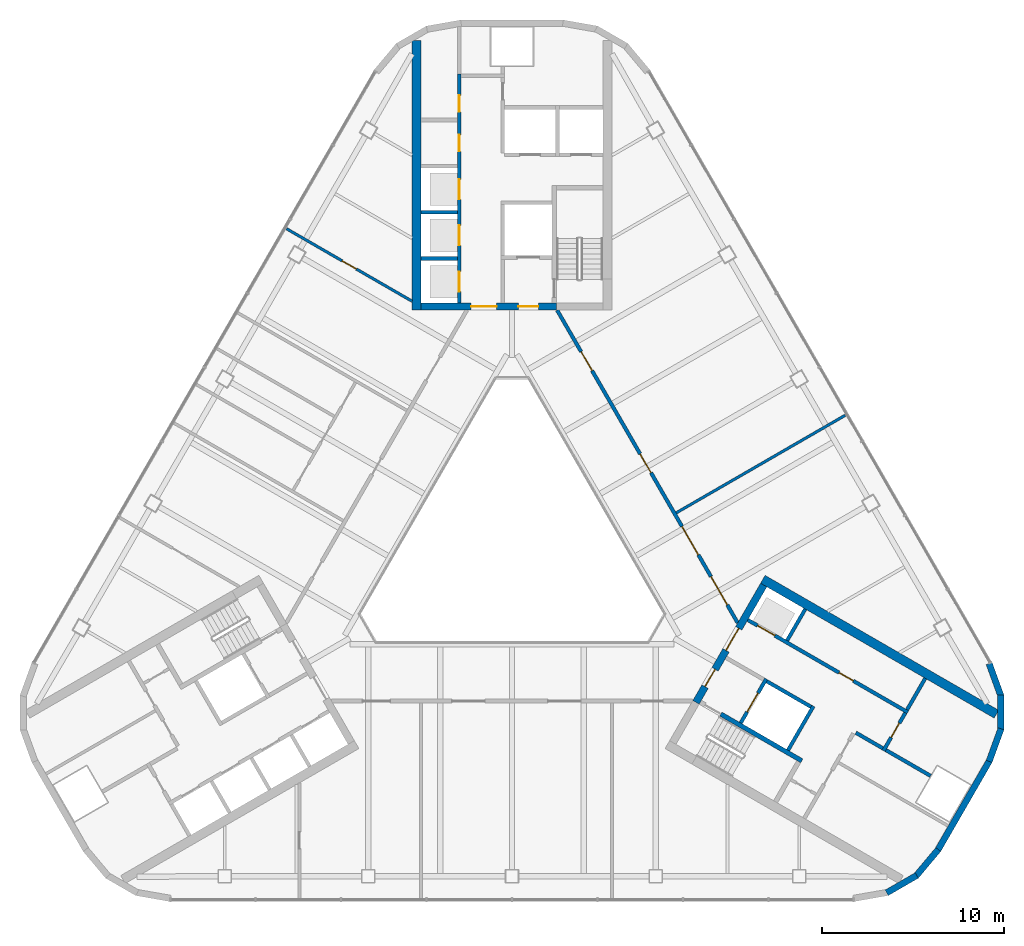
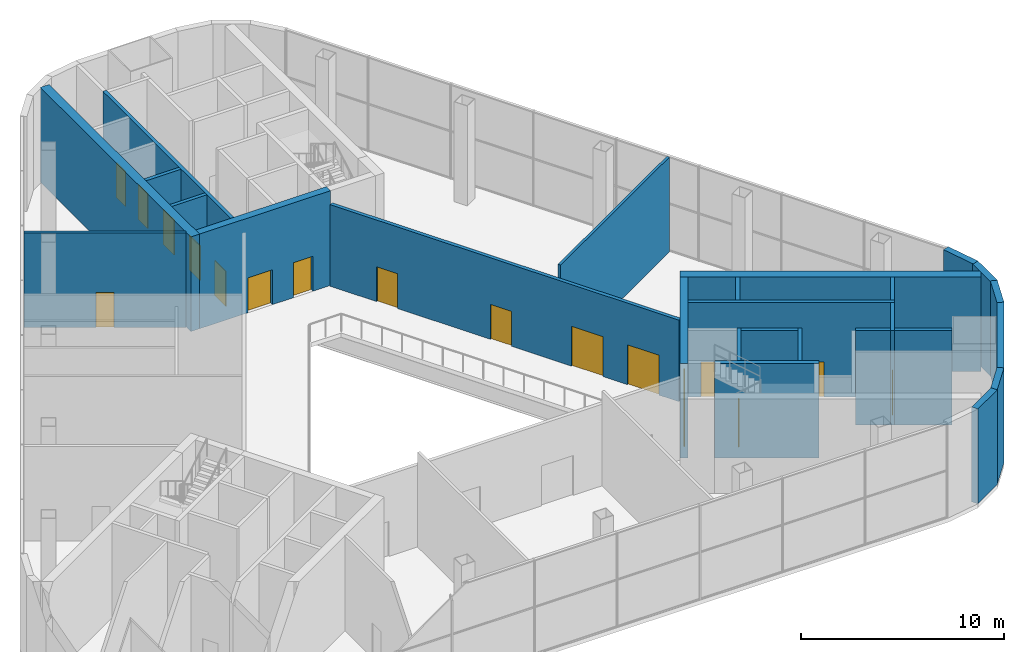
# One storey, part 9 of 14: 26 walls, 18 doors, 18 openings.
"""IFC4 building model written with IfcOpenShell, lengths in metres."""

import ifcopenshell
import ifcopenshell.guid

model = None  # the IFC model being written
_history = None  # IfcOwnerHistory: only IFC2X3 demands one
_inside = {}  # id of a spatial element -> (the spatial element, [elements in it])
_under = {}  # id of a project, library or spatial element -> (it, [spatial elements below it])
_declared = {}  # id of a project -> (the project, [libraries it declares])
_typed = {}  # id of a type object -> (the type object, [elements of that type])
_made_of = {}  # id of a material, layer set ... -> (it, [elements and type objects made of it])


def new_model(schema):
    """Start an empty IFC model of exactly this schema.

    Asked for "IFC4X3", IfcOpenShell would pick the latest addendum, in which some entities
    have other attributes; the version numbers below select the first issue.
    IFC2X3 requires an IfcOwnerHistory on every rooted entity: one is made here for all.
    """
    global model, _history
    if schema == "IFC4X3":
        model = ifcopenshell.file(schema_version=(4, 3, 0, 0))
    else:
        model = ifcopenshell.file(schema=schema)
    _inside.clear()
    _under.clear()
    _declared.clear()
    _typed.clear()
    _made_of.clear()
    _history = None
    if model.schema == "IFC2X3":
        org = make("IfcOrganization", Name="unknown")
        user = make(
            "IfcPersonAndOrganization",
            ThePerson=make("IfcPerson", FamilyName="unknown"),
            TheOrganization=org,
        )
        app = make(
            "IfcApplication",
            ApplicationDeveloper=org,
            Version="unknown",
            ApplicationFullName="unknown",
            ApplicationIdentifier="unknown",
        )
        _history = make(
            "IfcOwnerHistory",
            OwningUser=user,
            OwningApplication=app,
            ChangeAction="ADDED",
            CreationDate=0,
        )
    return model


def make(cls, **values):
    """One entity of the class cls with the attributes given. An attribute that is None is left unset."""
    return model.create_entity(
        cls, **{name: value for name, value in values.items() if value is not None}
    )


def rooted(cls, **values):
    """An entity with a GlobalId (a new one), such as an element, a storey or a relation."""
    return make(cls, GlobalId=ifcopenshell.guid.new(), OwnerHistory=_history, **values)


def si_unit(unit_type, name, prefix=None):
    """IfcSIUnit, for example si_unit("LENGTHUNIT", "METRE", prefix="MILLI")."""
    return make("IfcSIUnit", UnitType=unit_type, Prefix=prefix, Name=name)


def assignment(units):
    """IfcUnitAssignment: the units of a project."""
    return None if units is None else make("IfcUnitAssignment", Units=units)


def point(xyz):
    """IfcCartesianPoint."""
    return None if xyz is None else make("IfcCartesianPoint", Coordinates=xyz)


def direction(xyz):
    """IfcDirection."""
    return None if xyz is None else make("IfcDirection", DirectionRatios=xyz)


def frame(location, z_axis=None, x_axis=None):
    """IfcAxis2Placement3D, a coordinate frame: its origin and axes. An axis left out is left unset."""
    return make(
        "IfcAxis2Placement3D",
        Location=point(location),
        Axis=direction(z_axis),
        RefDirection=direction(x_axis),
    )


def frame_2d(location, x_axis=None):
    """IfcAxis2Placement2D, a coordinate frame in the plane: its origin and x axis."""
    return make(
        "IfcAxis2Placement2D", Location=point(location), RefDirection=direction(x_axis)
    )


def origin():
    """The frame at (0, 0, 0) with its axes left unset."""
    return frame((0.0, 0.0, 0.0))


def place(relative_to, where):
    """IfcLocalPlacement: puts the frame where relative to a parent placement (None: the world)."""
    return make(
        "IfcLocalPlacement", PlacementRelTo=relative_to, RelativePlacement=where
    )


def context(
    kind, dimensions, precision=None, world=None, true_north=None, identifier=None
):
    """IfcGeometricRepresentationContext, for example the 3D "Model" context."""
    return make(
        "IfcGeometricRepresentationContext",
        ContextIdentifier=identifier,
        ContextType=kind,
        CoordinateSpaceDimension=dimensions,
        Precision=precision,
        WorldCoordinateSystem=world,
        TrueNorth=true_north,
    )


def subcontext(parent, identifier, kind, view, scale=None):
    """IfcGeometricRepresentationSubContext, for example "Body" below "Model"."""
    return make(
        "IfcGeometricRepresentationSubContext",
        ContextIdentifier=identifier,
        ContextType=kind,
        ParentContext=parent,
        TargetScale=scale,
        TargetView=view,
    )


def project(units=None, contexts=None):
    """IfcProject with its units and contexts."""
    return rooted(
        "IfcProject",
        Name="project",
        RepresentationContexts=contexts,
        UnitsInContext=assignment(units),
    )


def spatial(cls, under=None, at=None, **own):
    """A site, building, storey or space (cls), placed at a placement, below another one or the project."""
    s = rooted(cls, ObjectPlacement=at, **own)
    if under is not None:
        _under.setdefault(under.id(), (under, []))[1].append(s)
    return s


def profile(cls, at=None, kind="AREA", **sizes):
    """A parametric profile (cls). Its sizes go by their IFC names, for example OverallWidth=200.0."""
    return make(cls, ProfileType=kind, Position=at, **sizes)


def rectangle(**sizes):
    """IfcRectangleProfileDef."""
    return profile("IfcRectangleProfileDef", **sizes)


def extrude(swept, where, along, depth):
    """IfcExtrudedAreaSolid: the profile swept, set in the frame where, extruded along a direction by depth."""
    return make(
        "IfcExtrudedAreaSolid",
        SweptArea=swept,
        Position=where,
        ExtrudedDirection=direction(along),
        Depth=depth,
    )


def shape(context_of_items, identifier, shape_type, items):
    """IfcShapeRepresentation: the items that make up one representation, for example the "Body"."""
    return make(
        "IfcShapeRepresentation",
        ContextOfItems=context_of_items,
        RepresentationIdentifier=identifier,
        RepresentationType=shape_type,
        Items=items,
    )


def material(Name=None, Category=None):
    """IfcMaterial."""
    return make("IfcMaterial", Name=Name, Category=Category)


def layer(
    of_material, thickness, ventilated=None, Name=None, Category=None, Priority=None
):
    """IfcMaterialLayer: one layer of a wall or slab, of a material (None: an air gap)."""
    return make(
        "IfcMaterialLayer",
        Material=of_material,
        LayerThickness=thickness,
        IsVentilated=ventilated,
        Name=Name,
        Category=Category,
        Priority=Priority,
    )


def layer_set(layers, Name=None):
    """IfcMaterialLayerSet."""
    return make("IfcMaterialLayerSet", MaterialLayers=layers, LayerSetName=Name)


def made_of(thing, what):
    """Note that an element or type object is made of a material, layer set ...; save() writes the relation."""
    if what is not None:
        _made_of.setdefault(what.id(), (what, []))[1].append(thing)
    return thing


def type_object(cls, material=None, **own):
    """A type object (cls), such as IfcWallType, which elements share."""
    return made_of(rooted(cls, **own), material)


def element(
    cls,
    number,
    at=None,
    inside=None,
    cuts=None,
    type_object=None,
    material=None,
    context=None,
    identifier="Body",
    shape_type=None,
    held_by="IfcProductDefinitionShape",
    body=None,
    shapes=None,
    **own,
):
    """One element of the class cls, such as IfcWall. Its Tag is "e" and its number.

    at: its placement. inside: the storey or other place that contains it. cuts: it is an
    opening in that element (IfcRelVoidsElement). A single representation is given by context,
    identifier, shape_type and body (its items); several are given by shapes. held_by: the class
    of the entity that holds the representations. save() writes the other relations.
    """
    e = rooted(cls, Tag="e%d" % number, ObjectPlacement=at, **own)
    if body is not None:
        shapes = [shape(context, identifier, shape_type, body)]
    if shapes is not None:
        e.Representation = make(held_by, Representations=shapes)
    if inside is not None:
        _inside.setdefault(inside.id(), (inside, []))[1].append(e)
    if cuts is not None:
        rooted(
            "IfcRelVoidsElement", RelatingBuildingElement=cuts, RelatedOpeningElement=e
        )
    if type_object is not None:
        _typed.setdefault(type_object.id(), (type_object, []))[1].append(e)
    return made_of(e, material)


def fill(opening, filler):
    """IfcRelFillsElement: the door or window that sits in an opening."""
    return rooted(
        "IfcRelFillsElement",
        RelatingOpeningElement=opening,
        RelatedBuildingElement=filler,
    )


def aggregate(whole, parts):
    """IfcRelAggregates: a whole, such as a stair, and the parts it consists of."""
    return rooted("IfcRelAggregates", RelatingObject=whole, RelatedObjects=parts)


def save(model, path):
    """Write the relations noted so far, then the file.

    IfcRelAggregates (storeys below a building ...), IfcRelContainedInSpatialStructure (elements
    in a storey), IfcRelDefinesByType, IfcRelAssociatesMaterial and IfcRelDeclares: one each for
    every whole, place, type object, material and project.
    """
    for whole, parts in _under.values():
        aggregate(whole, parts)
    for where, things in _inside.values():
        rooted(
            "IfcRelContainedInSpatialStructure",
            RelatedElements=things,
            RelatingStructure=where,
        )
    for kind, things in _typed.values():
        rooted("IfcRelDefinesByType", RelatedObjects=things, RelatingType=kind)
    for what, things in _made_of.values():
        rooted("IfcRelAssociatesMaterial", RelatedObjects=things, RelatingMaterial=what)
    for by, libraries in _declared.values():
        rooted("IfcRelDeclares", RelatingContext=by, RelatedDefinitions=libraries)
    model.write(path)


model = new_model("IFC4")

# Units and contexts
model_context = context("Model", 3, precision=1e-05, world=origin(), true_north=direction((0.0, 1.0)))
body_context = subcontext(model_context, "Body", "Model", "MODEL_VIEW")
ifc_project = project(units=[si_unit("LENGTHUNIT", "METRE"), si_unit("AREAUNIT", "SQUARE_METRE"), si_unit("VOLUMEUNIT", "CUBIC_METRE"), si_unit("PLANEANGLEUNIT", "RADIAN"), si_unit("MASSUNIT", "GRAM", prefix="KILO")], contexts=[model_context])

# Site, building, storey
site_placement = place(None, origin())
site = spatial("IfcSite", under=ifc_project, at=site_placement, CompositionType="ELEMENT")
building_placement = place(site_placement, origin())
building = spatial("IfcBuilding", under=site, at=building_placement, Name="Apuvela Tower Hotel", CompositionType="ELEMENT")
storey_placement = place(building_placement, frame((0.0, 0.0, 231.699951171875)))
storey = spatial("IfcBuildingStorey", under=building, at=storey_placement, Name="L57", CompositionType="ELEMENT", Elevation=231.699951171875)

# Wall, openings, doors
ifc_material_1 = material(Name="Concrete C50/60", Category="concrete")
ifc_layer_1 = layer(ifc_material_1, 0.39990234375)
ifc_layer_set_1 = layer_set([ifc_layer_1], Name="COR-WALL-CORE-400")
wall_type_1 = type_object("IfcWallType", Name="COR-WALL-CORE-400", PredefinedType="SHEAR", material=ifc_layer_set_1)
wall_1_placement = place(storey_placement, frame((2.449951171875, 13.10009765625, 0.0), z_axis=(0.0, 0.0, 1.0), x_axis=(-1.0, 0.0, 0.0)))
wall_1 = element("IfcWall", 1, at=wall_1_placement, inside=storey, type_object=wall_type_1, Name="Core wall N", PredefinedType="SHEAR", context=body_context, shape_type="SweptSolid", body=[
    extrude(rectangle(XDim=7.449951171875, YDim=0.39990234375, at=frame_2d((3.72509765625, 0.0))), origin(), (0.0, 0.0, 1.0), 5.699951171875),
])
opening_1_placement = place(wall_1_placement, frame((1.0, 0.0, 0.0)))
opening_1 = element("IfcOpeningElement", 2, at=opening_1_placement, cuts=wall_1, Name="Opening N-FD", PredefinedType="OPENING", context=body_context, shape_type="SweptSolid", body=[
    extrude(rectangle(XDim=1.10009765625, YDim=2.10009765625, at=frame_2d((0.550048828125, 1.050048828125))), frame((0.0, 0.2099609375, 0.0), z_axis=(0.0, -1.0, 0.0), x_axis=(1.0, 0.0, 0.0)), (0.0, 0.0, 1.0), 0.419921875),
])
opening_2_placement = place(wall_1_placement, frame((3.300048828125, 0.0, 0.0)))
opening_2 = element("IfcOpeningElement", 3, at=opening_2_placement, cuts=wall_1, Name="Opening N-GD", PredefinedType="OPENING", context=body_context, shape_type="SweptSolid", body=[
    extrude(rectangle(XDim=1.39990234375, YDim=2.10009765625, at=frame_2d((0.699951171875, 1.050048828125))), frame((0.0, 0.2099609375, 0.0), z_axis=(0.0, -1.0, 0.0), x_axis=(1.0, 0.0, 0.0)), (0.0, 0.0, 1.0), 0.419921875),
])
ifc_material_2 = material(Name="Steel fire door, powder coated", Category="steel")
door_type_1 = type_object("IfcDoorType", Name="COR-FD-1100", OperationType="NOTDEFINED", PredefinedType="DOOR", material=ifc_material_2)
door_1_placement = place(opening_1_placement, frame((1.10009765625, 0.0, 0.0), z_axis=(0.0, 0.0, 1.0), x_axis=(-1.0, 0.0, 0.0)))
door_1 = element("IfcDoor", 4, at=door_1_placement, inside=storey, type_object=door_type_1, Name="Firefighting lobby door N-FD", OperationType="SINGLE_SWING_LEFT", OverallHeight=2.10009765625, OverallWidth=1.10009765625, PredefinedType="DOOR", context=body_context, shape_type="SweptSolid", body=[
    extrude(rectangle(XDim=1.10009765625, YDim=2.10009765625, at=frame_2d((0.550048828125, 1.050048828125))), frame((0.0, 0.02490234375, 0.0), z_axis=(0.0, -1.0, 0.0), x_axis=(1.0, 0.0, 0.0)), (0.0, 0.0, 1.0), 0.050048828125),
])
fill(opening_1, door_1)
ifc_material_3 = material(Name="Glazed steel fire door", Category="steel")
door_type_2 = type_object("IfcDoorType", Name="COR-GD-1400", OperationType="DOUBLE_DOOR_SINGLE_SWING", PredefinedType="DOOR", material=ifc_material_3)
door_2_placement = place(opening_2_placement, frame((1.39990234375, 0.0, 0.0), z_axis=(0.0, 0.0, 1.0), x_axis=(-1.0, 0.0, 0.0)))
door_2 = element("IfcDoor", 5, at=door_2_placement, inside=storey, type_object=door_type_2, Name="Lift lobby door N-GD", OperationType="DOUBLE_DOOR_SINGLE_SWING", OverallHeight=2.10009765625, OverallWidth=1.39990234375, PredefinedType="DOOR", context=body_context, shape_type="SweptSolid", body=[
    extrude(rectangle(XDim=1.39990234375, YDim=2.10009765625, at=frame_2d((0.699951171875, 1.050048828125))), frame((0.0, 0.02490234375, 0.0), z_axis=(0.0, -1.0, 0.0), x_axis=(1.0, 0.0, 0.0)), (0.0, 0.0, 1.0), 0.050048828125),
])
fill(opening_2, door_2)

wall_2_placement = place(storey_placement, frame((10.119873046875, -8.671875, 0.0), z_axis=(0.0, 0.0, 1.0), x_axis=(0.500008956979, 0.866020232408, 0.0)))
wall_2 = element("IfcWall", 6, at=wall_2_placement, inside=storey, type_object=wall_type_1, Name="Core wall SE", PredefinedType="SHEAR", context=body_context, shape_type="SweptSolid", body=[
    extrude(rectangle(XDim=7.449951171875, YDim=0.39990234375, at=frame_2d((3.72509765625, 0.0))), origin(), (0.0, 0.0, 1.0), 5.699951171875),
])
opening_3_placement = place(wall_2_placement, frame((1.0, 0.0, 0.0)))
opening_3 = element("IfcOpeningElement", 7, at=opening_3_placement, cuts=wall_2, Name="Opening E-FD", PredefinedType="OPENING", context=body_context, shape_type="SweptSolid", body=[
    extrude(rectangle(XDim=1.10009765625, YDim=2.10009765625, at=frame_2d((0.550048828125, 1.050048828125))), frame((0.0, 0.2099609375, 0.0), z_axis=(0.0, -1.0, 0.0), x_axis=(1.0, 0.0, 0.0)), (0.0, 0.0, 1.0), 0.419921875),
])
opening_4_placement = place(wall_2_placement, frame((3.300048828125, 0.0, 0.0)))
opening_4 = element("IfcOpeningElement", 8, at=opening_4_placement, cuts=wall_2, Name="Opening E-GD", PredefinedType="OPENING", context=body_context, shape_type="SweptSolid", body=[
    extrude(rectangle(XDim=1.39990234375, YDim=2.10009765625, at=frame_2d((0.699951171875, 1.050048828125))), frame((0.0, 0.2099609375, 0.0), z_axis=(0.0, -1.0, 0.0), x_axis=(1.0, 0.0, 0.0)), (0.0, 0.0, 1.0), 0.419921875),
])
door_3_placement = place(opening_3_placement, frame((1.10009765625, 0.0, 0.0), z_axis=(0.0, 0.0, 1.0), x_axis=(-1.0, 0.0, 0.0)))
door_3 = element("IfcDoor", 9, at=door_3_placement, inside=storey, type_object=door_type_1, Name="Firefighting lobby door E-FD", OperationType="SINGLE_SWING_LEFT", OverallHeight=2.10009765625, OverallWidth=1.10009765625, PredefinedType="DOOR", context=body_context, shape_type="SweptSolid", body=[
    extrude(rectangle(XDim=1.10009765625, YDim=2.10009765625, at=frame_2d((0.550048828125, 1.050048828125))), frame((0.0, 0.02490234375, 0.0), z_axis=(0.0, -1.0, 0.0), x_axis=(1.0, 0.0, 0.0)), (0.0, 0.0, 1.0), 0.050048828125),
])
fill(opening_3, door_3)
door_4_placement = place(opening_4_placement, frame((1.39990234375, 0.0, 0.0), z_axis=(0.0, 0.0, 1.0), x_axis=(-1.0, 0.0, 0.0)))
door_4 = element("IfcDoor", 10, at=door_4_placement, inside=storey, type_object=door_type_2, Name="Lift lobby door E-GD", OperationType="DOUBLE_DOOR_SINGLE_SWING", OverallHeight=2.10009765625, OverallWidth=1.39990234375, PredefinedType="DOOR", context=body_context, shape_type="SweptSolid", body=[
    extrude(rectangle(XDim=1.39990234375, YDim=2.10009765625, at=frame_2d((0.699951171875, 1.050048828125))), frame((0.0, 0.02490234375, 0.0), z_axis=(0.0, -1.0, 0.0), x_axis=(1.0, 0.0, 0.0)), (0.0, 0.0, 1.0), 0.050048828125),
])
fill(opening_4, door_4)

# Walls
ifc_layer_2 = layer(ifc_material_1, 0.5)
ifc_layer_set_2 = layer_set([ifc_layer_2], Name="COR-WALL-CORE-500")
wall_type_2 = type_object("IfcWallType", Name="COR-WALL-CORE-500", PredefinedType="SHEAR", material=ifc_layer_set_2)
for number, where, z_axis, x_axis, name in (
    (11, (-5.25, 12.89990234375, 0.0), (0.0, 0.0, 1.0), (0.0, 1.0, 0.0), "Core wall N"),
    (12, (13.796630859375, -1.9033203125, 0.0), (0.0, 0.0, 1.0), (0.866025009528, -0.500000682871, 0.0), "Core wall SE"),
):
    element("IfcWall", number, at=place(storey_placement, frame(where, z_axis=z_axis, x_axis=x_axis)), inside=storey, type_object=wall_type_2, Name=name, PredefinedType="SHEAR", context=body_context, shape_type="SweptSolid", body=[
        extrude(rectangle(XDim=14.8369140625, YDim=0.5, at=frame_2d((7.41845703125, 0.0))), origin(), (0.0, 0.0, 1.0), 5.699951171875),
    ])

# Wall, openings, doors
ifc_layer_3 = layer(ifc_material_1, 0.199951171875)
ifc_layer_set_3 = layer_set([ifc_layer_3], Name="COR-WALL-SHAFT-200")
wall_type_3 = type_object("IfcWallType", Name="COR-WALL-SHAFT-200", PredefinedType="SHEAR", material=ifc_layer_set_3)
wall_3_placement = place(storey_placement, frame((-2.89990234375, 13.300048828125, 0.0), z_axis=(0.0, 0.0, 1.0), x_axis=(0.0, 1.0, 0.0)))
wall_3 = element("IfcWall", 13, at=wall_3_placement, inside=storey, type_object=wall_type_3, Name="Shaft wall N", PredefinedType="SHEAR", context=body_context, shape_type="SweptSolid", body=[
    extrude(rectangle(XDim=12.599853515625, YDim=0.199951171875, at=frame_2d((6.2998046875, 0.0))), origin(), (0.0, 0.0, 1.0), 5.699951171875),
])
opening_5_placement = place(wall_3_placement, frame((0.6201171875, 0.0, 0.0)))
opening_5 = element("IfcOpeningElement", 14, at=opening_5_placement, cuts=wall_3, Name="Opening N-LD-HR1", PredefinedType="OPENING", context=body_context, shape_type="SweptSolid", body=[
    extrude(rectangle(XDim=1.10009765625, YDim=2.10009765625, at=frame_2d((0.550048828125, 1.050048828125))), frame((0.0, 0.10986328125, 0.0), z_axis=(0.0, -1.0, 0.0), x_axis=(1.0, 0.0, 0.0)), (0.0, 0.0, 1.0), 0.219970703125),
])
opening_6_placement = place(wall_3_placement, frame((3.159912109375, 0.0, 0.0)))
opening_6 = element("IfcOpeningElement", 15, at=opening_6_placement, cuts=wall_3, Name="Opening N-LD-HR2", PredefinedType="OPENING", context=body_context, shape_type="SweptSolid", body=[
    extrude(rectangle(XDim=1.10009765625, YDim=2.10009765625, at=frame_2d((0.550048828125, 1.050048828125))), frame((0.0, 0.10986328125, 0.0), z_axis=(0.0, -1.0, 0.0), x_axis=(1.0, 0.0, 0.0)), (0.0, 0.0, 1.0), 0.219970703125),
])
opening_7_placement = place(wall_3_placement, frame((5.699951171875, 0.0, 0.0)))
opening_7 = element("IfcOpeningElement", 16, at=opening_7_placement, cuts=wall_3, Name="Opening N-LD-HR4", PredefinedType="OPENING", context=body_context, shape_type="SweptSolid", body=[
    extrude(rectangle(XDim=1.10009765625, YDim=2.10009765625, at=frame_2d((0.550048828125, 1.050048828125))), frame((0.0, 0.10986328125, 0.0), z_axis=(0.0, -1.0, 0.0), x_axis=(1.0, 0.0, 0.0)), (0.0, 0.0, 1.0), 0.219970703125),
])
opening_8_placement = place(wall_3_placement, frame((8.340087890625, 0.0, 0.0)))
opening_8 = element("IfcOpeningElement", 17, at=opening_8_placement, cuts=wall_3, Name="Opening N-RE4", PredefinedType="OPENING", context=body_context, shape_type="SweptSolid", body=[
    extrude(rectangle(XDim=0.89990234375, YDim=2.10009765625, at=frame_2d((0.449951171875, 1.050048828125))), frame((0.0, 0.10986328125, 0.0), z_axis=(0.0, -1.0, 0.0), x_axis=(1.0, 0.0, 0.0)), (0.0, 0.0, 1.0), 0.219970703125),
])
opening_9_placement = place(wall_3_placement, frame((10.510009765625, 0.0, 0.0)))
opening_9 = element("IfcOpeningElement", 18, at=opening_9_placement, cuts=wall_3, Name="Opening N-REP", PredefinedType="OPENING", context=body_context, shape_type="SweptSolid", body=[
    extrude(rectangle(XDim=0.89990234375, YDim=2.10009765625, at=frame_2d((0.449951171875, 1.050048828125))), frame((0.0, 0.10986328125, 0.0), z_axis=(0.0, -1.0, 0.0), x_axis=(1.0, 0.0, 0.0)), (0.0, 0.0, 1.0), 0.219970703125),
])
door_type_3 = type_object("IfcDoorType", Name="COR-DR-900", OperationType="NOTDEFINED", PredefinedType="DOOR", material=ifc_material_2)
door_5_placement = place(opening_8_placement, origin())
door_5 = element("IfcDoor", 19, at=door_5_placement, inside=storey, type_object=door_type_3, Name="Store door N-RE4", OperationType="SINGLE_SWING_LEFT", OverallHeight=2.10009765625, OverallWidth=0.89990234375, PredefinedType="DOOR", context=body_context, shape_type="SweptSolid", body=[
    extrude(rectangle(XDim=0.89990234375, YDim=2.10009765625, at=frame_2d((0.449951171875, 1.050048828125))), frame((0.0, 0.02490234375, 0.0), z_axis=(0.0, -1.0, 0.0), x_axis=(1.0, 0.0, 0.0)), (0.0, 0.0, 1.0), 0.050048828125),
])
fill(opening_8, door_5)
door_6_placement = place(opening_9_placement, origin())
door_6 = element("IfcDoor", 20, at=door_6_placement, inside=storey, type_object=door_type_3, Name="Store door N-REP", OperationType="SINGLE_SWING_RIGHT", OverallHeight=2.10009765625, OverallWidth=0.89990234375, PredefinedType="DOOR", context=body_context, shape_type="SweptSolid", body=[
    extrude(rectangle(XDim=0.89990234375, YDim=2.10009765625, at=frame_2d((0.449951171875, 1.050048828125))), frame((0.0, 0.02490234375, 0.0), z_axis=(0.0, -1.0, 0.0), x_axis=(1.0, 0.0, 0.0)), (0.0, 0.0, 1.0), 0.050048828125),
])
fill(opening_9, door_6)
ifc_material_4 = material(Name="Stainless steel lift landing door", Category="steel")
door_type_4 = type_object("IfcDoorType", Name="COR-LD-1100", OperationType="DOUBLE_DOOR_SLIDING", PredefinedType="DOOR", material=ifc_material_4)
door_7_placement = place(opening_5_placement, origin())
door_7 = element("IfcDoor", 21, at=door_7_placement, inside=storey, type_object=door_type_4, Name="Lift landing door N-LD-HR1", OperationType="DOUBLE_DOOR_SLIDING", OverallHeight=2.10009765625, OverallWidth=1.10009765625, PredefinedType="DOOR", context=body_context, shape_type="SweptSolid", body=[
    extrude(rectangle(XDim=1.10009765625, YDim=2.10009765625, at=frame_2d((0.550048828125, 1.050048828125))), frame((0.0, 0.02490234375, 0.0), z_axis=(0.0, -1.0, 0.0), x_axis=(1.0, 0.0, 0.0)), (0.0, 0.0, 1.0), 0.050048828125),
])
fill(opening_5, door_7)
door_8_placement = place(opening_6_placement, origin())
door_8 = element("IfcDoor", 22, at=door_8_placement, inside=storey, type_object=door_type_4, Name="Lift landing door N-LD-HR2", OperationType="DOUBLE_DOOR_SLIDING", OverallHeight=2.10009765625, OverallWidth=1.10009765625, PredefinedType="DOOR", context=body_context, shape_type="SweptSolid", body=[
    extrude(rectangle(XDim=1.10009765625, YDim=2.10009765625, at=frame_2d((0.550048828125, 1.050048828125))), frame((0.0, 0.02490234375, 0.0), z_axis=(0.0, -1.0, 0.0), x_axis=(1.0, 0.0, 0.0)), (0.0, 0.0, 1.0), 0.050048828125),
])
fill(opening_6, door_8)
door_9_placement = place(opening_7_placement, origin())
door_9 = element("IfcDoor", 23, at=door_9_placement, inside=storey, type_object=door_type_4, Name="Lift landing door N-LD-HR4", OperationType="DOUBLE_DOOR_SLIDING", OverallHeight=2.10009765625, OverallWidth=1.10009765625, PredefinedType="DOOR", context=body_context, shape_type="SweptSolid", body=[
    extrude(rectangle(XDim=1.10009765625, YDim=2.10009765625, at=frame_2d((0.550048828125, 1.050048828125))), frame((0.0, 0.02490234375, 0.0), z_axis=(0.0, -1.0, 0.0), x_axis=(1.0, 0.0, 0.0)), (0.0, 0.0, 1.0), 0.050048828125),
])
fill(opening_7, door_9)

# Walls
for number, where, z_axis, x_axis, name in (
    (24, (-3.0, 15.739990234375, 0.0), (0.0, 0.0, 1.0), (-1.0, 0.0, 0.0), "Shaft wall N"),
    (25, (-3.0, 18.280029296875, 0.0), (0.0, 0.0, 1.0), (-1.0, 0.0, 0.0), "Shaft wall N"),
):
    element("IfcWall", number, at=place(storey_placement, frame(where, z_axis=z_axis, x_axis=x_axis)), inside=storey, type_object=wall_type_3, Name=name, PredefinedType="SHEAR", context=body_context, shape_type="SweptSolid", body=[
        extrude(rectangle(XDim=2.0, YDim=0.199951171875, at=frame_2d((1.0, 0.0))), origin(), (0.0, 0.0, 1.0), 5.699951171875),
    ])
wall_4_placement = place(storey_placement, frame((15.181396484375, -11.305419921875, 0.0), z_axis=(0.0, 0.0, 1.0), x_axis=(0.49994636267, 0.866056369097, 0.0)))
element("IfcWall", 26, at=wall_4_placement, inside=storey, type_object=wall_type_3, Name="Shaft wall SE", PredefinedType="SHEAR", context=body_context, shape_type="SweptSolid", body=[
    extrude(rectangle(XDim=2.800048828125, YDim=0.199951171875, at=frame_2d((1.39990234375, 0.0))), origin(), (0.0, 0.0, 1.0), 5.699951171875),
])

# Wall, opening, door
wall_5_placement = place(storey_placement, frame((12.583251953125, -9.805419921875, 0.0), z_axis=(0.0, 0.0, 1.0), x_axis=(0.49994636267, 0.866056369097, 0.0)))
wall_5 = element("IfcWall", 27, at=wall_5_placement, inside=storey, type_object=wall_type_3, Name="Shaft wall SE", PredefinedType="SHEAR", context=body_context, shape_type="SweptSolid", body=[
    extrude(rectangle(XDim=2.800048828125, YDim=0.199951171875, at=frame_2d((1.39990234375, 0.0))), origin(), (0.0, 0.0, 1.0), 5.699951171875),
])
opening_10_placement = place(wall_5_placement, frame((0.699951171875, 0.0, 0.0)))
opening_10 = element("IfcOpeningElement", 28, at=opening_10_placement, cuts=wall_5, Name="Opening E-LD-FS3", PredefinedType="OPENING", context=body_context, shape_type="SweptSolid", body=[
    extrude(rectangle(XDim=1.199951171875, YDim=2.10009765625, at=frame_2d((0.60009765625, 1.050048828125))), frame((0.0, 0.10986328125, 0.0), z_axis=(0.0, -1.0, 0.0), x_axis=(1.0, 0.0, 0.0)), (0.0, 0.0, 1.0), 0.219970703125),
])
door_type_5 = type_object("IfcDoorType", Name="COR-LD-1200", OperationType="DOUBLE_DOOR_SLIDING", PredefinedType="DOOR", material=ifc_material_4)
door_10_placement = place(opening_10_placement, origin())
door_10 = element("IfcDoor", 29, at=door_10_placement, inside=storey, type_object=door_type_5, Name="Lift landing door E-LD-FS3", OperationType="DOUBLE_DOOR_SLIDING", OverallHeight=2.10009765625, OverallWidth=1.199951171875, PredefinedType="DOOR", context=body_context, shape_type="SweptSolid", body=[
    extrude(rectangle(XDim=1.199951171875, YDim=2.10009765625, at=frame_2d((0.60009765625, 1.050048828125))), frame((0.0, 0.02490234375, 0.0), z_axis=(0.0, -1.0, 0.0), x_axis=(1.0, 0.0, 0.0)), (0.0, 0.0, 1.0), 0.050048828125),
])
fill(opening_10, door_10)

# Wall
wall_6_placement = place(storey_placement, frame((14.019775390625, -7.51708984375, 0.0), z_axis=(0.0, 0.0, 1.0), x_axis=(0.866034573852, -0.49998411664, 0.0)))
element("IfcWall", 30, at=wall_6_placement, inside=storey, type_object=wall_type_3, Name="Shaft wall SE", PredefinedType="SHEAR", context=body_context, shape_type="SweptSolid", body=[
    extrude(rectangle(XDim=2.7998046875, YDim=0.199951171875, at=frame_2d((1.39990234375, 0.0))), origin(), (0.0, 0.0, 1.0), 5.699951171875),
])

# Wall, openings, doors
wall_7_placement = place(storey_placement, frame((12.968017578125, -4.138427734375, 0.0), z_axis=(0.0, 0.0, 1.0), x_axis=(0.866028328073, -0.49999493495, 0.0)))
wall_7 = element("IfcWall", 31, at=wall_7_placement, inside=storey, type_object=wall_type_3, Name="Shaft wall SE", PredefinedType="SHEAR", context=body_context, shape_type="SweptSolid", body=[
    extrude(rectangle(XDim=10.16015625, YDim=0.199951171875, at=frame_2d((5.080078125, 0.0))), origin(), (0.0, 0.0, 1.0), 5.699951171875),
])
opening_11_placement = place(wall_7_placement, frame((0.6201171875, 0.0, 0.0)))
opening_11 = element("IfcOpeningElement", 32, at=opening_11_placement, cuts=wall_7, Name="Opening E-LD-HR3", PredefinedType="OPENING", context=body_context, shape_type="SweptSolid", body=[
    extrude(rectangle(XDim=1.10009765625, YDim=2.10009765625, at=frame_2d((0.550048828125, 1.050048828125))), frame((0.0, 0.10986328125, 0.0), z_axis=(0.0, -1.0, 0.0), x_axis=(1.0, 0.0, 0.0)), (0.0, 0.0, 1.0), 0.219970703125),
])
opening_12_placement = place(wall_7_placement, frame((5.800048828125, 0.0, 0.0)))
opening_12 = element("IfcOpeningElement", 33, at=opening_12_placement, cuts=wall_7, Name="Opening E-RE2", PredefinedType="OPENING", context=body_context, shape_type="SweptSolid", body=[
    extrude(rectangle(XDim=0.89990234375, YDim=2.10009765625, at=frame_2d((0.449951171875, 1.050048828125))), frame((0.0, 0.10986328125, 0.0), z_axis=(0.0, -1.0, 0.0), x_axis=(1.0, 0.0, 0.0)), (0.0, 0.0, 1.0), 0.219970703125),
])
door_11_placement = place(opening_12_placement, origin())
door_11 = element("IfcDoor", 34, at=door_11_placement, inside=storey, type_object=door_type_3, Name="Store door E-RE2", OperationType="SINGLE_SWING_LEFT", OverallHeight=2.10009765625, OverallWidth=0.89990234375, PredefinedType="DOOR", context=body_context, shape_type="SweptSolid", body=[
    extrude(rectangle(XDim=0.89990234375, YDim=2.10009765625, at=frame_2d((0.449951171875, 1.050048828125))), frame((0.0, 0.02490234375, 0.0), z_axis=(0.0, -1.0, 0.0), x_axis=(1.0, 0.0, 0.0)), (0.0, 0.0, 1.0), 0.050048828125),
])
fill(opening_12, door_11)
door_12_placement = place(opening_11_placement, origin())
door_12 = element("IfcDoor", 35, at=door_12_placement, inside=storey, type_object=door_type_4, Name="Lift landing door E-LD-HR3", OperationType="DOUBLE_DOOR_SLIDING", OverallHeight=2.10009765625, OverallWidth=1.10009765625, PredefinedType="DOOR", context=body_context, shape_type="SweptSolid", body=[
    extrude(rectangle(XDim=1.10009765625, YDim=2.10009765625, at=frame_2d((0.550048828125, 1.050048828125))), frame((0.0, 0.02490234375, 0.0), z_axis=(0.0, -1.0, 0.0), x_axis=(1.0, 0.0, 0.0)), (0.0, 0.0, 1.0), 0.050048828125),
])
fill(opening_11, door_12)

# Wall, opening, door
wall_8_placement = place(storey_placement, frame((20.430419921875, -11.33349609375, 0.0), z_axis=(0.0, 0.0, 1.0), x_axis=(0.500001309137, 0.866024647952, 0.0)))
wall_8 = element("IfcWall", 36, at=wall_8_placement, inside=storey, type_object=wall_type_3, Name="Shaft wall SE", PredefinedType="SHEAR", context=body_context, shape_type="SweptSolid", body=[
    extrude(rectangle(XDim=2.39990234375, YDim=0.199951171875, at=frame_2d((1.199951171875, 0.0))), origin(), (0.0, 0.0, 1.0), 5.699951171875),
])
opening_13_placement = place(wall_8_placement, frame((0.85009765625, 0.0, 0.0)))
opening_13 = element("IfcOpeningElement", 37, at=opening_13_placement, cuts=wall_8, Name="Opening E-REP", PredefinedType="OPENING", context=body_context, shape_type="SweptSolid", body=[
    extrude(rectangle(XDim=0.89990234375, YDim=2.10009765625, at=frame_2d((0.449951171875, 1.050048828125))), frame((0.0, 0.10986328125, 0.0), z_axis=(0.0, -1.0, 0.0), x_axis=(1.0, 0.0, 0.0)), (0.0, 0.0, 1.0), 0.219970703125),
])
door_13_placement = place(opening_13_placement, frame((0.89990234375, 0.0, 0.0), z_axis=(0.0, 0.0, 1.0), x_axis=(-1.0, 0.0, 0.0)))
door_13 = element("IfcDoor", 38, at=door_13_placement, inside=storey, type_object=door_type_3, Name="Store door E-REP", OperationType="SINGLE_SWING_RIGHT", OverallHeight=2.10009765625, OverallWidth=0.89990234375, PredefinedType="DOOR", context=body_context, shape_type="SweptSolid", body=[
    extrude(rectangle(XDim=0.89990234375, YDim=2.10009765625, at=frame_2d((0.449951171875, 1.050048828125))), frame((0.0, 0.02490234375, 0.0), z_axis=(0.0, -1.0, 0.0), x_axis=(1.0, 0.0, 0.0)), (0.0, 0.0, 1.0), 0.050048828125),
])
fill(opening_13, door_13)

# Walls
wall_9_placement = place(storey_placement, frame((18.912841796875, -10.342041015625, 0.0), z_axis=(0.0, 0.0, 1.0), x_axis=(0.866038183914, -0.499977863513, 0.0)))
element("IfcWall", 39, at=wall_9_placement, inside=storey, type_object=wall_type_3, Name="Shaft wall SE", PredefinedType="SHEAR", context=body_context, shape_type="SweptSolid", body=[
    extrude(rectangle(XDim=1.7099609375, YDim=0.199951171875, at=frame_2d((0.85498046875, 0.0))), origin(), (0.0, 0.0, 1.0), 5.699951171875),
])
for number, where, z_axis, x_axis, name in (
    (40, (15.131103515625, -5.27197265625, 0.0), (0.0, 0.0, 1.0), (0.499972520799, 0.866041268327, 0.0), "Shaft wall SE"),
    (41, (21.73046875, -9.081787109375, 0.0), (0.0, 0.0, 1.0), (0.50002537861, 0.866010750942, 0.0), "Shaft wall SE"),
):
    element("IfcWall", number, at=place(storey_placement, frame(where, z_axis=z_axis, x_axis=x_axis)), inside=storey, type_object=wall_type_3, Name=name, PredefinedType="SHEAR", context=body_context, shape_type="SweptSolid", body=[
        extrude(rectangle(XDim=2.0, YDim=0.199951171875, at=frame_2d((1.0, 0.0))), origin(), (0.0, 0.0, 1.0), 5.699951171875),
    ])
wall_10_placement = place(storey_placement, frame((20.56689453125, -11.297119140625, 0.0), z_axis=(0.0, 0.0, 1.0), x_axis=(0.866055327414, -0.49994816717, 0.0)))
element("IfcWall", 42, at=wall_10_placement, inside=storey, type_object=wall_type_3, Name="Shaft wall SE", PredefinedType="SHEAR", context=body_context, shape_type="SweptSolid", body=[
    extrude(rectangle(XDim=2.840087890625, YDim=0.199951171875, at=frame_2d((1.419921875, 0.0))), origin(), (0.0, 0.0, 1.0), 5.699951171875),
])
ifc_layer_4 = layer(ifc_material_1, 0.25)
ifc_layer_set_4 = layer_set([ifc_layer_4], Name="COR-WALL-STAIR-250")
wall_type_4 = type_object("IfcWallType", Name="COR-WALL-STAIR-250", PredefinedType="SHEAR", material=ifc_layer_set_4)
wall_11_placement = place(storey_placement, frame((11.48681640625, -9.31640625, 0.0), z_axis=(0.0, 0.0, 1.0), x_axis=(0.866011695431, -0.500023742813, 0.0)))
element("IfcWall", 43, at=wall_11_placement, inside=storey, type_object=wall_type_4, Name="Stair wall SE", PredefinedType="SHEAR", context=body_context, shape_type="SweptSolid", body=[
    extrude(rectangle(XDim=5.143798828125, YDim=0.25, at=frame_2d((2.57177734375, 0.0))), origin(), (0.0, 0.0, 1.0), 5.699951171875),
])
ifc_material_5 = material(Name="Concrete C40/50, dark pigmented precast panel", Category="concrete")
ifc_layer_5 = layer(ifc_material_5, 0.35009765625)
ifc_layer_set_5 = layer_set([ifc_layer_5], Name="ENV-WALL-350")
wall_type_5 = type_object("IfcWallType", Name="ENV-WALL-350", PredefinedType="SOLIDWALL", material=ifc_layer_set_5)
for number, where, z_axis, x_axis, name in (
    (44, (20.609619140625, -19.146728515625, 0.0), (0.0, 0.0, 1.0), (0.866000389056, 0.500043324278, 0.0), "External wall L57-17"),
    (45, (22.217041015625, -18.230712890625, 0.0), (0.0, 0.0, 1.0), (0.642808304945, 0.766027077259, 0.0), "External wall L57-18"),
):
    element("IfcWall", number, at=place(storey_placement, frame(where, z_axis=z_axis, x_axis=x_axis)), inside=storey, type_object=wall_type_5, Name=name, PredefinedType="SOLIDWALL", context=body_context, shape_type="SweptSolid", body=[
        extrude(rectangle(XDim=1.909912109375, YDim=0.35009765625, at=frame_2d((0.955078125, 0.0))), origin(), (0.0, 0.0, 1.0), 5.699951171875),
    ])
wall_12_placement = place(storey_placement, frame((23.427490234375, -16.79248046875, 0.0), z_axis=(0.0, 0.0, 1.0), x_axis=(0.499986410639, 0.866033249463, 0.0)))
element("IfcWall", 46, at=wall_12_placement, inside=storey, type_object=wall_type_5, Name="External wall L57-19", PredefinedType="SOLIDWALL", context=body_context, shape_type="SweptSolid", body=[
    extrude(rectangle(XDim=5.657958984375, YDim=0.35009765625, at=frame_2d((2.8291015625, 0.0))), origin(), (0.0, 0.0, 1.0), 5.699951171875),
])
for number, where, z_axis, x_axis, name in (
    (47, (26.24365234375, -11.920166015625, 0.0), (0.0, 0.0, 1.0), (0.342030395486, 0.939688889242, 0.0), "External wall L57-20"),
    (48, (26.88623046875, -10.18505859375, 0.0), (0.0, 0.0, 1.0), (0.0, 1.0, 0.0), "External wall L57-21"),
    (49, (26.89697265625, -8.334716796875, 0.0), (0.0, 0.0, 1.0), (-0.342030395486, 0.939688889242, 0.0), "External wall L57-22"),
):
    element("IfcWall", number, at=place(storey_placement, frame(where, z_axis=z_axis, x_axis=x_axis)), inside=storey, type_object=wall_type_5, Name=name, PredefinedType="SOLIDWALL", context=body_context, shape_type="SweptSolid", body=[
        extrude(rectangle(XDim=1.91015625, YDim=0.35009765625, at=frame_2d((0.955078125, 0.0))), origin(), (0.0, 0.0, 1.0), 5.699951171875),
    ])

# Wall, openings, doors
ifc_material_6 = material(Name="Fire-rated gypsum board partition on steel stud", Category="steel")
ifc_layer_6 = layer(ifc_material_6, 0.199951171875)
ifc_layer_set_6 = layer_set([ifc_layer_6], Name="SPC-WALL-CORRIDOR")
wall_type_6 = type_object("IfcWallType", Name="SPC-WALL-CORRIDOR", PredefinedType="PARTITIONING", material=ifc_layer_set_6)
wall_13_placement = place(storey_placement, frame((12.4130859375, -4.300048828125, 0.0), z_axis=(0.0, 0.0, 1.0), x_axis=(-0.50000478328, 0.866022642139, 0.0)))
wall_13 = element("IfcWall", 50, at=wall_13_placement, inside=storey, type_object=wall_type_6, Name="Wall L57-NE-CW", PredefinedType="PARTITIONING", context=body_context, shape_type="SweptSolid", body=[
    extrude(rectangle(XDim=19.861083984375, YDim=0.199951171875, at=frame_2d((9.9306640625, 0.0))), origin(), (0.0, 0.0, 1.0), 4.91015625),
])
opening_14_placement = place(wall_13_placement, frame((1.141845703125, 0.0, 0.0)))
opening_14 = element("IfcOpeningElement", 51, at=opening_14_placement, cuts=wall_13, Name="Opening L57-S01", PredefinedType="OPENING", context=body_context, shape_type="SweptSolid", body=[
    extrude(rectangle(XDim=1.800048828125, YDim=2.39990234375, at=frame_2d((0.89990234375, 1.199951171875))), frame((0.0, 0.10986328125, 0.0), z_axis=(0.0, -1.0, 0.0), x_axis=(1.0, 0.0, 0.0)), (0.0, 0.0, 1.0), 0.219970703125),
])
opening_15_placement = place(wall_13_placement, frame((4.3251953125, 0.0, 0.0)))
opening_15 = element("IfcOpeningElement", 52, at=opening_15_placement, cuts=wall_13, Name="Opening L57-S02", PredefinedType="OPENING", context=body_context, shape_type="SweptSolid", body=[
    extrude(rectangle(XDim=1.800048828125, YDim=2.39990234375, at=frame_2d((0.89990234375, 1.199951171875))), frame((0.0, 0.10986328125, 0.0), z_axis=(0.0, -1.0, 0.0), x_axis=(1.0, 0.0, 0.0)), (0.0, 0.0, 1.0), 0.219970703125),
])
opening_16_placement = place(wall_13_placement, frame((9.535888671875, 0.0, 0.0)))
opening_16 = element("IfcOpeningElement", 53, at=opening_16_placement, cuts=wall_13, Name="Opening L57-S03", PredefinedType="OPENING", context=body_context, shape_type="SweptSolid", body=[
    extrude(rectangle(XDim=1.199951171875, YDim=2.10009765625, at=frame_2d((0.60009765625, 1.050048828125))), frame((0.0, 0.10986328125, 0.0), z_axis=(0.0, -1.0, 0.0), x_axis=(1.0, 0.0, 0.0)), (0.0, 0.0, 1.0), 0.219970703125),
])
opening_17_placement = place(wall_13_placement, frame((16.019287109375, 0.0, 0.0)))
opening_17 = element("IfcOpeningElement", 54, at=opening_17_placement, cuts=wall_13, Name="Opening L57-S04", PredefinedType="OPENING", context=body_context, shape_type="SweptSolid", body=[
    extrude(rectangle(XDim=1.199951171875, YDim=2.10009765625, at=frame_2d((0.60009765625, 1.050048828125))), frame((0.0, 0.10986328125, 0.0), z_axis=(0.0, -1.0, 0.0), x_axis=(1.0, 0.0, 0.0)), (0.0, 0.0, 1.0), 0.219970703125),
])
ifc_material_7 = material(Name="Steel fire door leaf", Category="steel")
door_type_6 = type_object("IfcDoorType", Name="SPC-DOOR-1200-REFUGE", OperationType="NOTDEFINED", PredefinedType="DOOR", material=ifc_material_7)
door_14_placement = place(opening_16_placement, origin())
door_14 = element("IfcDoor", 55, at=door_14_placement, inside=storey, type_object=door_type_6, Name="L57-S03", OperationType="SINGLE_SWING_LEFT", OverallHeight=2.10009765625, OverallWidth=1.199951171875, PredefinedType="DOOR", context=body_context, shape_type="SweptSolid", body=[
    extrude(rectangle(XDim=1.199951171875, YDim=2.10009765625, at=frame_2d((0.60009765625, 1.050048828125))), frame((0.0, 0.02490234375, 0.0), z_axis=(0.0, -1.0, 0.0), x_axis=(1.0, 0.0, 0.0)), (0.0, 0.0, 1.0), 0.050048828125),
])
fill(opening_16, door_14)
door_15_placement = place(opening_17_placement, origin())
door_15 = element("IfcDoor", 56, at=door_15_placement, inside=storey, type_object=door_type_6, Name="L57-S04", OperationType="SINGLE_SWING_RIGHT", OverallHeight=2.10009765625, OverallWidth=1.199951171875, PredefinedType="DOOR", context=body_context, shape_type="SweptSolid", body=[
    extrude(rectangle(XDim=1.199951171875, YDim=2.10009765625, at=frame_2d((0.60009765625, 1.050048828125))), frame((0.0, 0.02490234375, 0.0), z_axis=(0.0, -1.0, 0.0), x_axis=(1.0, 0.0, 0.0)), (0.0, 0.0, 1.0), 0.050048828125),
])
fill(opening_17, door_15)
ifc_material_8 = material(Name="Fire-rated hardwood veneer door leaf", Category="wood")
door_type_7 = type_object("IfcDoorType", Name="SPC-DOOR-1800-FD", OperationType="NOTDEFINED", PredefinedType="DOOR", material=ifc_material_8)
door_16_placement = place(opening_14_placement, origin())
door_16 = element("IfcDoor", 57, at=door_16_placement, inside=storey, type_object=door_type_7, Name="L57-S01", OperationType="DOUBLE_DOOR_SINGLE_SWING", OverallHeight=2.39990234375, OverallWidth=1.800048828125, PredefinedType="DOOR", context=body_context, shape_type="SweptSolid", body=[
    extrude(rectangle(XDim=1.800048828125, YDim=2.39990234375, at=frame_2d((0.89990234375, 1.199951171875))), frame((0.0, 0.02490234375, 0.0), z_axis=(0.0, -1.0, 0.0), x_axis=(1.0, 0.0, 0.0)), (0.0, 0.0, 1.0), 0.050048828125),
])
fill(opening_14, door_16)
door_17_placement = place(opening_15_placement, origin())
door_17 = element("IfcDoor", 58, at=door_17_placement, inside=storey, type_object=door_type_7, Name="L57-S02", OperationType="DOUBLE_DOOR_SINGLE_SWING", OverallHeight=2.39990234375, OverallWidth=1.800048828125, PredefinedType="DOOR", context=body_context, shape_type="SweptSolid", body=[
    extrude(rectangle(XDim=1.800048828125, YDim=2.39990234375, at=frame_2d((0.89990234375, 1.199951171875))), frame((0.0, 0.02490234375, 0.0), z_axis=(0.0, -1.0, 0.0), x_axis=(1.0, 0.0, 0.0)), (0.0, 0.0, 1.0), 0.050048828125),
])
fill(opening_15, door_17)

# Wall, opening, door
ifc_material_9 = material(Name="Gypsum board partition on steel stud", Category="steel")
ifc_layer_7 = layer(ifc_material_9, 0.14990234375)
ifc_layer_set_7 = layer_set([ifc_layer_7], Name="SPC-WALL-PARTITION")
wall_type_7 = type_object("IfcWallType", Name="SPC-WALL-PARTITION", PredefinedType="PARTITIONING", material=ifc_layer_set_7)
wall_14_placement = place(storey_placement, frame((-12.40185546875, 17.37939453125, 0.0), z_axis=(0.0, 0.0, 1.0), x_axis=(0.866021319631, -0.500007073895, 0.0)))
wall_14 = element("IfcWall", 59, at=wall_14_placement, inside=storey, type_object=wall_type_7, Name="Wall L57-NW-P02", PredefinedType="PARTITIONING", context=body_context, shape_type="SweptSolid", body=[
    extrude(rectangle(XDim=7.9697265625, YDim=0.14990234375, at=frame_2d((3.98486328125, 0.0))), origin(), (0.0, 0.0, 1.0), 5.699951171875),
])
opening_18_placement = place(wall_14_placement, frame((3.534912109375, 0.0, 0.0)))
opening_18 = element("IfcOpeningElement", 60, at=opening_18_placement, cuts=wall_14, Name="Opening L57-S11", PredefinedType="OPENING", context=body_context, shape_type="SweptSolid", body=[
    extrude(rectangle(XDim=0.89990234375, YDim=2.10009765625, at=frame_2d((0.449951171875, 1.050048828125))), frame((0.0, 0.0849609375, 0.0), z_axis=(0.0, -1.0, 0.0), x_axis=(1.0, 0.0, 0.0)), (0.0, 0.0, 1.0), 0.169921875),
])
ifc_material_10 = material(Name="Hardwood veneer door leaf", Category="wood")
door_type_8 = type_object("IfcDoorType", Name="SPC-DOOR-900", OperationType="NOTDEFINED", PredefinedType="DOOR", material=ifc_material_10)
door_18_placement = place(opening_18_placement, origin())
door_18 = element("IfcDoor", 61, at=door_18_placement, inside=storey, type_object=door_type_8, Name="L57-S11", OperationType="SINGLE_SWING_LEFT", OverallHeight=2.10009765625, OverallWidth=0.89990234375, PredefinedType="DOOR", context=body_context, shape_type="SweptSolid", body=[
    extrude(rectangle(XDim=0.89990234375, YDim=2.10009765625, at=frame_2d((0.449951171875, 1.050048828125))), frame((0.0, 0.02490234375, 0.0), z_axis=(0.0, -1.0, 0.0), x_axis=(1.0, 0.0, 0.0)), (0.0, 0.0, 1.0), 0.050048828125),
])
fill(opening_18, door_18)

# Wall
ifc_material_11 = material(Name="Reinforced blockwork B15", Category="masonry")
ifc_layer_8 = layer(ifc_material_11, 0.14990234375)
ifc_layer_set_8 = layer_set([ifc_layer_8], Name="SPC-WALL-PLANT-150")
wall_type_8 = type_object("IfcWallType", Name="SPC-WALL-PLANT-150", PredefinedType="PARTITIONING", material=ifc_layer_set_8)
wall_15_placement = place(storey_placement, frame((18.326904296875, 7.116943359375, 0.0), z_axis=(0.0, 0.0, 1.0), x_axis=(-0.866026447599, -0.499998192055, 0.0)))
element("IfcWall", 62, at=wall_15_placement, inside=storey, type_object=wall_type_8, Name="Wall L57-NE-P01", PredefinedType="PARTITIONING", context=body_context, shape_type="SweptSolid", body=[
    extrude(rectangle(XDim=10.72998046875, YDim=0.14990234375, at=frame_2d((5.364990234375, 0.0))), origin(), (0.0, 0.0, 1.0), 5.699951171875),
])

save(model, "model.ifc")
